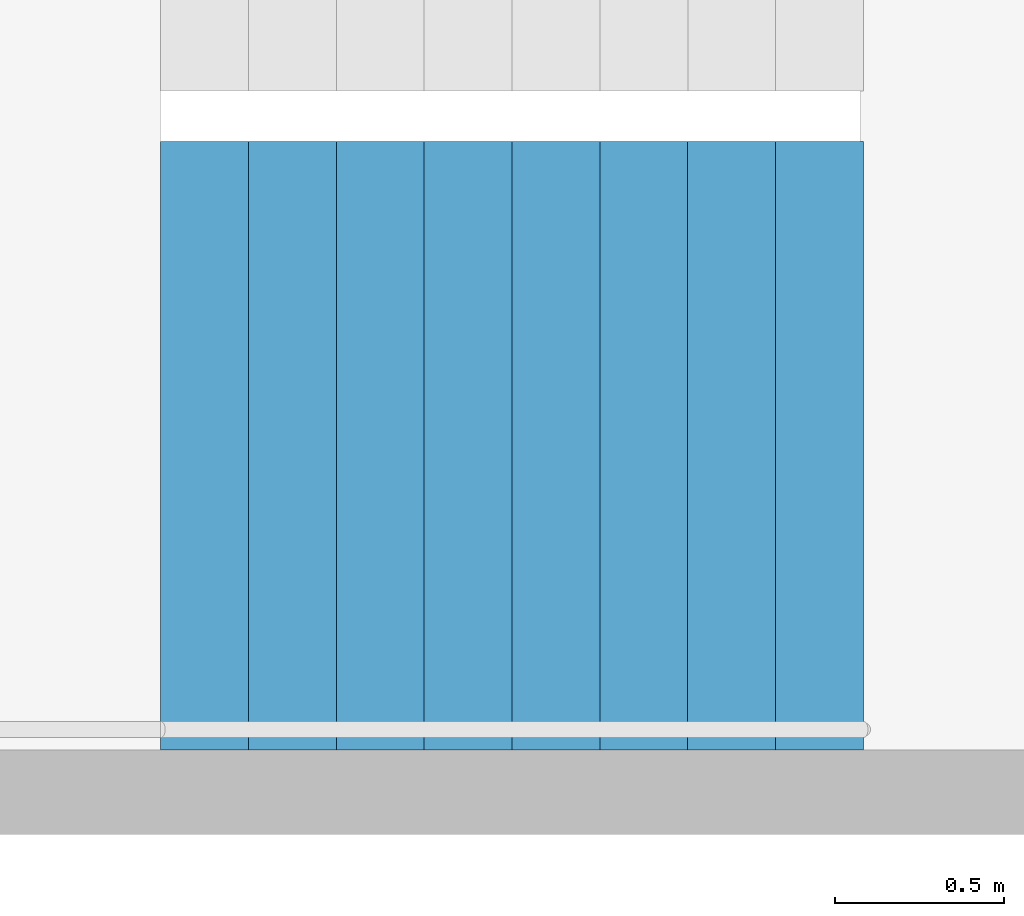
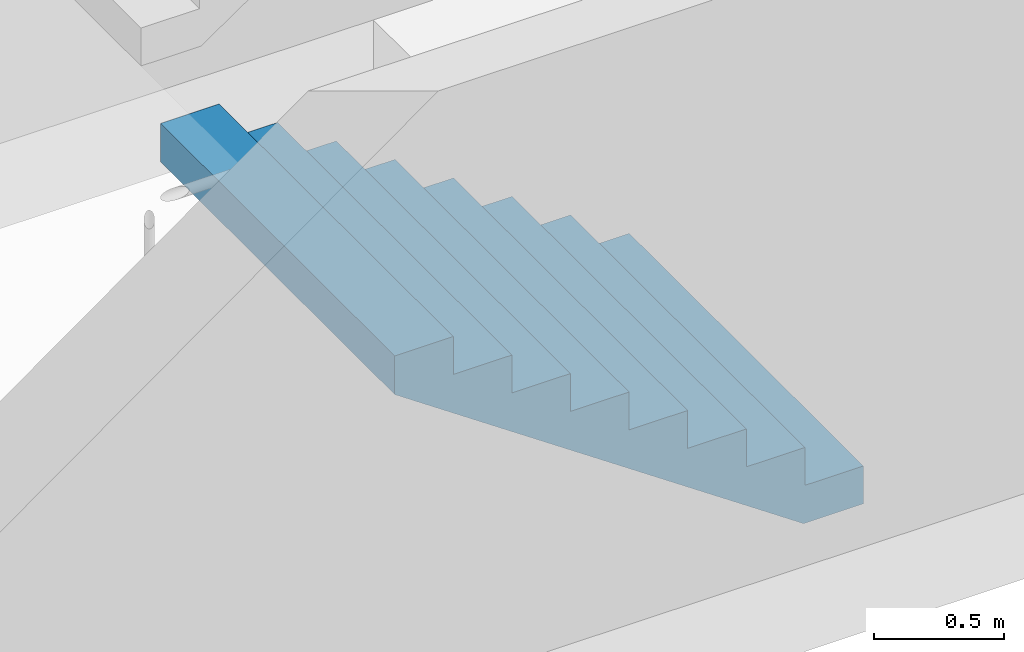
# One storey, part 26 of 34: 1 stair flight, 1 element without a shape of its own.
"""IFC4 building model written with IfcOpenShell, lengths in metres."""

from ifc_helpers import new_model, si_unit, direction, frame, origin, place, context, subcontext, project, spatial, triangles, material, type_object, element, aggregate, save


model = new_model("IFC4")

# Units and contexts
model_context = context("Model", 3, precision=1e-05, world=origin(), true_north=direction((0.0, 1.0)))
body_context = subcontext(model_context, "Body", "Model", "MODEL_VIEW")
ifc_project = project(units=[si_unit("LENGTHUNIT", "METRE"), si_unit("AREAUNIT", "SQUARE_METRE"), si_unit("VOLUMEUNIT", "CUBIC_METRE"), si_unit("PLANEANGLEUNIT", "RADIAN"), si_unit("MASSUNIT", "GRAM", prefix="KILO")], contexts=[model_context])

# Site, building, storey
site_placement = place(None, origin())
site = spatial("IfcSite", under=ifc_project, at=site_placement, CompositionType="ELEMENT")
building_placement = place(site_placement, origin())
building = spatial("IfcBuilding", under=site, at=building_placement, Name="Hakoniwa Tower and Hamabe Station Hall", CompositionType="ELEMENT")
storey_placement = place(building_placement, frame((0.0, 0.0, 107.39990234375)))
storey = spatial("IfcBuildingStorey", under=building, at=storey_placement, Name="L30", CompositionType="ELEMENT", Elevation=107.39990234375)

# Stair, stair flight
ifc_material_1 = material(Name="Concrete C40", Category="concrete")
stair_type = type_object("IfcStairType", Name="ESCAPE STAIR 1800", PredefinedType="HALF_TURN_STAIR", material=ifc_material_1)
stair_placement = place(storey_placement, origin())
stair = element("IfcStair", 1, at=stair_placement, inside=storey, type_object=stair_type, Name="Escape stair ST-3 L30", PredefinedType="HALF_TURN_STAIR")
ifc_material_2 = material(Name="Concrete C40", Category="concrete")
stair_flight_type = type_object("IfcStairFlightType", Name="STAIR FLIGHT 1800", PredefinedType="STRAIGHT", material=ifc_material_2)
stair_flight_placement = place(storey_placement, frame((24.39990234375, 4.64990234375, 0.0), z_axis=(0.0, 0.0, 1.0), x_axis=(-1.0, 0.0, 0.0)))
stair_flight = element("IfcStairFlight", 2, at=stair_flight_placement, type_object=stair_flight_type, Name="ST-3 flight 1", NumberOfRisers=9, NumberOfTreads=8, PredefinedType="STRAIGHT", RiserHeight=0.177777778, TreadLength=0.26, context=body_context, shape_type="Tessellation", body=[
    triangles([(0.0, 0.89990234375, 0.0), (0.260009765625, 0.89990234375, 0.0), (0.265625, 0.89990234375, 0.0), (0.52001953125, 0.89990234375, 0.174072265625), (0.780029296875, 0.89990234375, 0.351806640625), (1.0400390625, 0.89990234375, 0.529541015625), (1.300048828125, 0.89990234375, 0.707275390625), (1.56005859375, 0.89990234375, 0.885009765625), (1.820068359375, 0.89990234375, 1.062744140625), (2.080078125, 0.89990234375, 1.24072265625), (2.080078125, 0.89990234375, 1.422119140625), (1.820068359375, 0.89990234375, 1.422119140625), (1.820068359375, 0.89990234375, 1.244384765625), (1.56005859375, 0.89990234375, 1.244384765625), (1.56005859375, 0.89990234375, 1.066650390625), (1.300048828125, 0.89990234375, 1.066650390625), (1.300048828125, 0.89990234375, 0.888916015625), (1.0400390625, 0.89990234375, 0.888916015625), (1.0400390625, 0.89990234375, 0.711181640625), (0.780029296875, 0.89990234375, 0.711181640625), (0.780029296875, 0.89990234375, 0.533447265625), (0.52001953125, 0.89990234375, 0.533447265625), (0.52001953125, 0.89990234375, 0.35546875), (0.265625, 0.89990234375, 0.35546875), (0.260009765625, 0.89990234375, 0.35546875), (0.260009765625, 0.89990234375, 0.177734375), (0.0, 0.89990234375, 0.177734375), (0.0, 0.06005859375, 0.0), (0.260009765625, 0.06005859375, 0.0), (0.265625, 0.06005859375, 0.0), (0.52001953125, 0.06005859375, 0.174072265625), (0.780029296875, 0.06005859375, 0.351806640625), (1.0400390625, 0.06005859375, 0.529541015625), (1.300048828125, 0.06005859375, 0.707275390625), (1.56005859375, 0.06005859375, 0.885009765625), (1.820068359375, 0.06005859375, 1.062744140625), (2.080078125, 0.06005859375, 1.24072265625), (2.080078125, 0.06005859375, 1.422119140625), (1.820068359375, 0.06005859375, 1.422119140625), (1.820068359375, 0.06005859375, 1.244384765625), (1.56005859375, 0.06005859375, 1.244384765625), (1.56005859375, 0.06005859375, 1.066650390625), (1.300048828125, 0.06005859375, 1.066650390625), (1.300048828125, 0.06005859375, 0.888916015625), (1.0400390625, 0.06005859375, 0.888916015625), (1.0400390625, 0.06005859375, 0.711181640625), (0.780029296875, 0.06005859375, 0.711181640625), (0.780029296875, 0.06005859375, 0.533447265625), (0.52001953125, 0.06005859375, 0.533447265625), (0.52001953125, 0.06005859375, 0.35546875), (0.265625, 0.06005859375, 0.35546875), (0.260009765625, 0.06005859375, 0.35546875), (0.260009765625, 0.06005859375, 0.177734375), (0.0, 0.06005859375, 0.177734375), (0.0, 0.04296875, 0.0), (0.260009765625, 0.04296875, 0.0), (0.265625, 0.04296875, 0.0), (0.52001953125, 0.04296875, 0.174072265625), (0.780029296875, 0.04296875, 0.351806640625), (1.0400390625, 0.04296875, 0.529541015625), (1.300048828125, 0.04296875, 0.707275390625), (1.56005859375, 0.04296875, 0.885009765625), (1.820068359375, 0.04296875, 1.062744140625), (2.080078125, 0.04296875, 1.24072265625), (2.080078125, 0.04296875, 1.422119140625), (1.820068359375, 0.04296875, 1.422119140625), (1.820068359375, 0.04296875, 1.244384765625), (1.56005859375, 0.04296875, 1.244384765625), (1.56005859375, 0.04296875, 1.066650390625), (1.300048828125, 0.04296875, 1.066650390625), (1.300048828125, 0.04296875, 0.888916015625), (1.0400390625, 0.04296875, 0.888916015625), (1.0400390625, 0.04296875, 0.711181640625), (0.780029296875, 0.04296875, 0.711181640625), (0.780029296875, 0.04296875, 0.533447265625), (0.52001953125, 0.04296875, 0.533447265625), (0.52001953125, 0.04296875, 0.35546875), (0.265625, 0.04296875, 0.35546875), (0.260009765625, 0.04296875, 0.35546875), (0.260009765625, 0.04296875, 0.177734375), (0.0, 0.04296875, 0.177734375), (0.0, 0.025634765625, 0.0), (0.260009765625, 0.025634765625, 0.0), (0.265625, 0.025634765625, 0.0), (0.52001953125, 0.025634765625, 0.174072265625), (0.780029296875, 0.025634765625, 0.351806640625), (1.0400390625, 0.025634765625, 0.529541015625), (1.300048828125, 0.025634765625, 0.707275390625), (1.56005859375, 0.025634765625, 0.885009765625), (1.820068359375, 0.025634765625, 1.062744140625), (2.080078125, 0.025634765625, 1.24072265625), (2.080078125, 0.025634765625, 1.422119140625), (1.820068359375, 0.025634765625, 1.422119140625), (1.820068359375, 0.025634765625, 1.244384765625), (1.56005859375, 0.025634765625, 1.244384765625), (1.56005859375, 0.025634765625, 1.066650390625), (1.300048828125, 0.025634765625, 1.066650390625), (1.300048828125, 0.025634765625, 0.888916015625), (1.0400390625, 0.025634765625, 0.888916015625), (1.0400390625, 0.025634765625, 0.711181640625), (0.780029296875, 0.025634765625, 0.711181640625), (0.780029296875, 0.025634765625, 0.533447265625), (0.52001953125, 0.025634765625, 0.533447265625), (0.52001953125, 0.025634765625, 0.35546875), (0.265625, 0.025634765625, 0.35546875), (0.260009765625, 0.025634765625, 0.35546875), (0.260009765625, 0.025634765625, 0.177734375), (0.0, 0.025634765625, 0.177734375), (0.0, 0.008544921875, 0.0), (0.260009765625, 0.008544921875, 0.0), (0.265625, 0.008544921875, 0.0), (0.52001953125, 0.008544921875, 0.174072265625), (0.780029296875, 0.008544921875, 0.351806640625), (1.0400390625, 0.008544921875, 0.529541015625), (1.300048828125, 0.008544921875, 0.707275390625), (1.56005859375, 0.008544921875, 0.885009765625), (1.820068359375, 0.008544921875, 1.062744140625), (2.080078125, 0.008544921875, 1.24072265625), (2.080078125, 0.008544921875, 1.422119140625), (1.820068359375, 0.008544921875, 1.422119140625), (1.820068359375, 0.008544921875, 1.244384765625), (1.56005859375, 0.008544921875, 1.244384765625), (1.56005859375, 0.008544921875, 1.066650390625), (1.300048828125, 0.008544921875, 1.066650390625), (1.300048828125, 0.008544921875, 0.888916015625), (1.0400390625, 0.008544921875, 0.888916015625), (1.0400390625, 0.008544921875, 0.711181640625), (0.780029296875, 0.008544921875, 0.711181640625), (0.780029296875, 0.008544921875, 0.533447265625), (0.52001953125, 0.008544921875, 0.533447265625), (0.52001953125, 0.008544921875, 0.35546875), (0.265625, 0.008544921875, 0.35546875), (0.260009765625, 0.008544921875, 0.35546875), (0.260009765625, 0.008544921875, 0.177734375), (0.0, 0.008544921875, 0.177734375), (0.0, -0.008544921875, 0.0), (0.260009765625, -0.008544921875, 0.0), (0.265625, -0.008544921875, 0.0), (0.52001953125, -0.008544921875, 0.174072265625), (0.780029296875, -0.008544921875, 0.351806640625), (1.0400390625, -0.008544921875, 0.529541015625), (1.300048828125, -0.008544921875, 0.707275390625), (1.56005859375, -0.008544921875, 0.885009765625), (1.820068359375, -0.008544921875, 1.062744140625), (2.080078125, -0.008544921875, 1.24072265625), (2.080078125, -0.008544921875, 1.422119140625), (1.820068359375, -0.008544921875, 1.422119140625), (1.820068359375, -0.008544921875, 1.244384765625), (1.56005859375, -0.008544921875, 1.244384765625), (1.56005859375, -0.008544921875, 1.066650390625), (1.300048828125, -0.008544921875, 1.066650390625), (1.300048828125, -0.008544921875, 0.888916015625), (1.0400390625, -0.008544921875, 0.888916015625), (1.0400390625, -0.008544921875, 0.711181640625), (0.780029296875, -0.008544921875, 0.711181640625), (0.780029296875, -0.008544921875, 0.533447265625), (0.52001953125, -0.008544921875, 0.533447265625), (0.52001953125, -0.008544921875, 0.35546875), (0.265625, -0.008544921875, 0.35546875), (0.260009765625, -0.008544921875, 0.35546875), (0.260009765625, -0.008544921875, 0.177734375), (0.0, -0.008544921875, 0.177734375), (0.0, -0.025634765625, 0.0), (0.260009765625, -0.025634765625, 0.0), (0.265625, -0.025634765625, 0.0), (0.52001953125, -0.025634765625, 0.174072265625), (0.780029296875, -0.025634765625, 0.351806640625), (1.0400390625, -0.025634765625, 0.529541015625), (1.300048828125, -0.025634765625, 0.707275390625), (1.56005859375, -0.025634765625, 0.885009765625), (1.820068359375, -0.025634765625, 1.062744140625), (2.080078125, -0.025634765625, 1.24072265625), (2.080078125, -0.025634765625, 1.422119140625), (1.820068359375, -0.025634765625, 1.422119140625), (1.820068359375, -0.025634765625, 1.244384765625), (1.56005859375, -0.025634765625, 1.244384765625), (1.56005859375, -0.025634765625, 1.066650390625), (1.300048828125, -0.025634765625, 1.066650390625), (1.300048828125, -0.025634765625, 0.888916015625), (1.0400390625, -0.025634765625, 0.888916015625), (1.0400390625, -0.025634765625, 0.711181640625), (0.780029296875, -0.025634765625, 0.711181640625), (0.780029296875, -0.025634765625, 0.533447265625), (0.52001953125, -0.025634765625, 0.533447265625), (0.52001953125, -0.025634765625, 0.35546875), (0.265625, -0.025634765625, 0.35546875), (0.260009765625, -0.025634765625, 0.35546875), (0.260009765625, -0.025634765625, 0.177734375), (0.0, -0.025634765625, 0.177734375), (0.0, -0.04296875, 0.0), (0.260009765625, -0.04296875, 0.0), (0.265625, -0.04296875, 0.0), (0.52001953125, -0.04296875, 0.174072265625), (0.780029296875, -0.04296875, 0.351806640625), (1.0400390625, -0.04296875, 0.529541015625), (1.300048828125, -0.04296875, 0.707275390625), (1.56005859375, -0.04296875, 0.885009765625), (1.820068359375, -0.04296875, 1.062744140625), (2.080078125, -0.04296875, 1.24072265625), (2.080078125, -0.04296875, 1.422119140625), (1.820068359375, -0.04296875, 1.422119140625), (1.820068359375, -0.04296875, 1.244384765625), (1.56005859375, -0.04296875, 1.244384765625), (1.56005859375, -0.04296875, 1.066650390625), (1.300048828125, -0.04296875, 1.066650390625), (1.300048828125, -0.04296875, 0.888916015625), (1.0400390625, -0.04296875, 0.888916015625), (1.0400390625, -0.04296875, 0.711181640625), (0.780029296875, -0.04296875, 0.711181640625), (0.780029296875, -0.04296875, 0.533447265625), (0.52001953125, -0.04296875, 0.533447265625), (0.52001953125, -0.04296875, 0.35546875), (0.265625, -0.04296875, 0.35546875), (0.260009765625, -0.04296875, 0.35546875), (0.260009765625, -0.04296875, 0.177734375), (0.0, -0.04296875, 0.177734375), (0.0, -0.06005859375, 0.0), (0.260009765625, -0.06005859375, 0.0), (0.265625, -0.06005859375, 0.0), (0.52001953125, -0.06005859375, 0.174072265625), (0.780029296875, -0.06005859375, 0.351806640625), (1.0400390625, -0.06005859375, 0.529541015625), (1.300048828125, -0.06005859375, 0.707275390625), (1.56005859375, -0.06005859375, 0.885009765625), (1.820068359375, -0.06005859375, 1.062744140625), (2.080078125, -0.06005859375, 1.24072265625), (2.080078125, -0.06005859375, 1.422119140625), (1.820068359375, -0.06005859375, 1.422119140625), (1.820068359375, -0.06005859375, 1.244384765625), (1.56005859375, -0.06005859375, 1.244384765625), (1.56005859375, -0.06005859375, 1.066650390625), (1.300048828125, -0.06005859375, 1.066650390625), (1.300048828125, -0.06005859375, 0.888916015625), (1.0400390625, -0.06005859375, 0.888916015625), (1.0400390625, -0.06005859375, 0.711181640625), (0.780029296875, -0.06005859375, 0.711181640625), (0.780029296875, -0.06005859375, 0.533447265625), (0.52001953125, -0.06005859375, 0.533447265625), (0.52001953125, -0.06005859375, 0.35546875), (0.265625, -0.06005859375, 0.35546875), (0.260009765625, -0.06005859375, 0.35546875), (0.260009765625, -0.06005859375, 0.177734375), (0.0, -0.06005859375, 0.177734375), (0.0, -0.89990234375, 0.0), (0.260009765625, -0.89990234375, 0.0), (0.265625, -0.89990234375, 0.0), (0.52001953125, -0.89990234375, 0.174072265625), (0.780029296875, -0.89990234375, 0.351806640625), (1.0400390625, -0.89990234375, 0.529541015625), (1.300048828125, -0.89990234375, 0.707275390625), (1.56005859375, -0.89990234375, 0.885009765625), (1.820068359375, -0.89990234375, 1.062744140625), (2.080078125, -0.89990234375, 1.24072265625), (2.080078125, -0.89990234375, 1.422119140625), (1.820068359375, -0.89990234375, 1.422119140625), (1.820068359375, -0.89990234375, 1.244384765625), (1.56005859375, -0.89990234375, 1.244384765625), (1.56005859375, -0.89990234375, 1.066650390625), (1.300048828125, -0.89990234375, 1.066650390625), (1.300048828125, -0.89990234375, 0.888916015625), (1.0400390625, -0.89990234375, 0.888916015625), (1.0400390625, -0.89990234375, 0.711181640625), (0.780029296875, -0.89990234375, 0.711181640625), (0.780029296875, -0.89990234375, 0.533447265625), (0.52001953125, -0.89990234375, 0.533447265625), (0.52001953125, -0.89990234375, 0.35546875), (0.265625, -0.89990234375, 0.35546875), (0.260009765625, -0.89990234375, 0.35546875), (0.260009765625, -0.89990234375, 0.177734375), (0.0, -0.89990234375, 0.177734375)], [[2, 27, 26], [245, 269, 270], [2, 1, 27], [245, 270, 244], [3, 25, 24], [246, 267, 268], [3, 26, 25], [246, 268, 269], [3, 2, 26], [246, 269, 245], [4, 24, 23], [247, 266, 267], [4, 3, 24], [247, 267, 246], [5, 22, 21], [248, 264, 265], [5, 23, 22], [248, 265, 266], [5, 4, 23], [248, 266, 247], [6, 20, 19], [249, 262, 263], [6, 21, 20], [249, 263, 264], [6, 5, 21], [249, 264, 248], [7, 18, 17], [250, 260, 261], [7, 19, 18], [250, 261, 262], [7, 6, 19], [250, 262, 249], [8, 16, 15], [251, 258, 259], [8, 17, 16], [251, 259, 260], [8, 7, 17], [251, 260, 250], [9, 14, 13], [252, 256, 257], [9, 15, 14], [252, 257, 258], [9, 8, 15], [252, 258, 251], [10, 12, 11], [253, 254, 255], [10, 13, 12], [253, 255, 256], [10, 9, 13], [253, 256, 252], [1, 2, 29], [1, 29, 28], [28, 29, 56], [28, 56, 55], [55, 56, 83], [55, 83, 82], [82, 83, 110], [82, 110, 109], [109, 110, 137], [109, 137, 136], [136, 137, 164], [136, 164, 163], [163, 164, 191], [163, 191, 190], [190, 191, 218], [190, 218, 217], [217, 218, 245], [217, 245, 244], [2, 3, 30], [2, 30, 29], [29, 30, 57], [29, 57, 56], [56, 57, 84], [56, 84, 83], [83, 84, 111], [83, 111, 110], [110, 111, 138], [110, 138, 137], [137, 138, 165], [137, 165, 164], [164, 165, 192], [164, 192, 191], [191, 192, 219], [191, 219, 218], [218, 219, 246], [218, 246, 245], [3, 4, 31], [3, 31, 30], [30, 31, 58], [30, 58, 57], [57, 58, 85], [57, 85, 84], [84, 85, 112], [84, 112, 111], [111, 112, 139], [111, 139, 138], [138, 139, 166], [138, 166, 165], [165, 166, 193], [165, 193, 192], [192, 193, 220], [192, 220, 219], [219, 220, 247], [219, 247, 246], [4, 5, 32], [4, 32, 31], [31, 32, 59], [31, 59, 58], [58, 59, 86], [58, 86, 85], [85, 86, 113], [85, 113, 112], [112, 113, 140], [112, 140, 139], [139, 140, 167], [139, 167, 166], [166, 167, 194], [166, 194, 193], [193, 194, 221], [193, 221, 220], [220, 221, 248], [220, 248, 247], [5, 6, 33], [5, 33, 32], [32, 33, 60], [32, 60, 59], [59, 60, 87], [59, 87, 86], [86, 87, 114], [86, 114, 113], [113, 114, 141], [113, 141, 140], [140, 141, 168], [140, 168, 167], [167, 168, 195], [167, 195, 194], [194, 195, 222], [194, 222, 221], [221, 222, 249], [221, 249, 248], [6, 7, 34], [6, 34, 33], [33, 34, 61], [33, 61, 60], [60, 61, 88], [60, 88, 87], [87, 88, 115], [87, 115, 114], [114, 115, 142], [114, 142, 141], [141, 142, 169], [141, 169, 168], [168, 169, 196], [168, 196, 195], [195, 196, 223], [195, 223, 222], [222, 223, 250], [222, 250, 249], [7, 8, 35], [7, 35, 34], [34, 35, 62], [34, 62, 61], [61, 62, 89], [61, 89, 88], [88, 89, 116], [88, 116, 115], [115, 116, 143], [115, 143, 142], [142, 143, 170], [142, 170, 169], [169, 170, 197], [169, 197, 196], [196, 197, 224], [196, 224, 223], [223, 224, 251], [223, 251, 250], [8, 9, 36], [8, 36, 35], [35, 36, 63], [35, 63, 62], [62, 63, 90], [62, 90, 89], [89, 90, 117], [89, 117, 116], [116, 117, 144], [116, 144, 143], [143, 144, 171], [143, 171, 170], [170, 171, 198], [170, 198, 197], [197, 198, 225], [197, 225, 224], [224, 225, 252], [224, 252, 251], [9, 10, 37], [9, 37, 36], [36, 37, 64], [36, 64, 63], [63, 64, 91], [63, 91, 90], [90, 91, 118], [90, 118, 117], [117, 118, 145], [117, 145, 144], [144, 145, 172], [144, 172, 171], [171, 172, 199], [171, 199, 198], [198, 199, 226], [198, 226, 225], [225, 226, 253], [225, 253, 252], [10, 11, 38], [10, 38, 37], [37, 38, 65], [37, 65, 64], [64, 65, 92], [64, 92, 91], [91, 92, 119], [91, 119, 118], [118, 119, 146], [118, 146, 145], [145, 146, 173], [145, 173, 172], [172, 173, 200], [172, 200, 199], [199, 200, 227], [199, 227, 226], [226, 227, 254], [226, 254, 253], [11, 12, 39], [11, 39, 38], [38, 39, 66], [38, 66, 65], [65, 66, 93], [65, 93, 92], [92, 93, 120], [92, 120, 119], [119, 120, 147], [119, 147, 146], [146, 147, 174], [146, 174, 173], [173, 174, 201], [173, 201, 200], [200, 201, 228], [200, 228, 227], [227, 228, 255], [227, 255, 254], [12, 13, 40], [12, 40, 39], [39, 40, 67], [39, 67, 66], [66, 67, 94], [66, 94, 93], [93, 94, 121], [93, 121, 120], [120, 121, 148], [120, 148, 147], [147, 148, 175], [147, 175, 174], [174, 175, 202], [174, 202, 201], [201, 202, 229], [201, 229, 228], [228, 229, 256], [228, 256, 255], [13, 14, 41], [13, 41, 40], [40, 41, 68], [40, 68, 67], [67, 68, 95], [67, 95, 94], [94, 95, 122], [94, 122, 121], [121, 122, 149], [121, 149, 148], [148, 149, 176], [148, 176, 175], [175, 176, 203], [175, 203, 202], [202, 203, 230], [202, 230, 229], [229, 230, 257], [229, 257, 256], [14, 15, 42], [14, 42, 41], [41, 42, 69], [41, 69, 68], [68, 69, 96], [68, 96, 95], [95, 96, 123], [95, 123, 122], [122, 123, 150], [122, 150, 149], [149, 150, 177], [149, 177, 176], [176, 177, 204], [176, 204, 203], [203, 204, 231], [203, 231, 230], [230, 231, 258], [230, 258, 257], [15, 16, 43], [15, 43, 42], [42, 43, 70], [42, 70, 69], [69, 70, 97], [69, 97, 96], [96, 97, 124], [96, 124, 123], [123, 124, 151], [123, 151, 150], [150, 151, 178], [150, 178, 177], [177, 178, 205], [177, 205, 204], [204, 205, 232], [204, 232, 231], [231, 232, 259], [231, 259, 258], [16, 17, 44], [16, 44, 43], [43, 44, 71], [43, 71, 70], [70, 71, 98], [70, 98, 97], [97, 98, 125], [97, 125, 124], [124, 125, 152], [124, 152, 151], [151, 152, 179], [151, 179, 178], [178, 179, 206], [178, 206, 205], [205, 206, 233], [205, 233, 232], [232, 233, 260], [232, 260, 259], [17, 18, 45], [17, 45, 44], [44, 45, 72], [44, 72, 71], [71, 72, 99], [71, 99, 98], [98, 99, 126], [98, 126, 125], [125, 126, 153], [125, 153, 152], [152, 153, 180], [152, 180, 179], [179, 180, 207], [179, 207, 206], [206, 207, 234], [206, 234, 233], [233, 234, 261], [233, 261, 260], [18, 19, 46], [18, 46, 45], [45, 46, 73], [45, 73, 72], [72, 73, 100], [72, 100, 99], [99, 100, 127], [99, 127, 126], [126, 127, 154], [126, 154, 153], [153, 154, 181], [153, 181, 180], [180, 181, 208], [180, 208, 207], [207, 208, 235], [207, 235, 234], [234, 235, 262], [234, 262, 261], [19, 20, 47], [19, 47, 46], [46, 47, 74], [46, 74, 73], [73, 74, 101], [73, 101, 100], [100, 101, 128], [100, 128, 127], [127, 128, 155], [127, 155, 154], [154, 155, 182], [154, 182, 181], [181, 182, 209], [181, 209, 208], [208, 209, 236], [208, 236, 235], [235, 236, 263], [235, 263, 262], [20, 21, 48], [20, 48, 47], [47, 48, 75], [47, 75, 74], [74, 75, 102], [74, 102, 101], [101, 102, 129], [101, 129, 128], [128, 129, 156], [128, 156, 155], [155, 156, 183], [155, 183, 182], [182, 183, 210], [182, 210, 209], [209, 210, 237], [209, 237, 236], [236, 237, 264], [236, 264, 263], [21, 22, 49], [21, 49, 48], [48, 49, 76], [48, 76, 75], [75, 76, 103], [75, 103, 102], [102, 103, 130], [102, 130, 129], [129, 130, 157], [129, 157, 156], [156, 157, 184], [156, 184, 183], [183, 184, 211], [183, 211, 210], [210, 211, 238], [210, 238, 237], [237, 238, 265], [237, 265, 264], [22, 23, 50], [22, 50, 49], [49, 50, 77], [49, 77, 76], [76, 77, 104], [76, 104, 103], [103, 104, 131], [103, 131, 130], [130, 131, 158], [130, 158, 157], [157, 158, 185], [157, 185, 184], [184, 185, 212], [184, 212, 211], [211, 212, 239], [211, 239, 238], [238, 239, 266], [238, 266, 265], [23, 24, 51], [23, 51, 50], [50, 51, 78], [50, 78, 77], [77, 78, 105], [77, 105, 104], [104, 105, 132], [104, 132, 131], [131, 132, 159], [131, 159, 158], [158, 159, 186], [158, 186, 185], [185, 186, 213], [185, 213, 212], [212, 213, 240], [212, 240, 239], [239, 240, 267], [239, 267, 266], [24, 25, 52], [24, 52, 51], [51, 52, 79], [51, 79, 78], [78, 79, 106], [78, 106, 105], [105, 106, 133], [105, 133, 132], [132, 133, 160], [132, 160, 159], [159, 160, 187], [159, 187, 186], [186, 187, 214], [186, 214, 213], [213, 214, 241], [213, 241, 240], [240, 241, 268], [240, 268, 267], [25, 26, 53], [25, 53, 52], [52, 53, 80], [52, 80, 79], [79, 80, 107], [79, 107, 106], [106, 107, 134], [106, 134, 133], [133, 134, 161], [133, 161, 160], [160, 161, 188], [160, 188, 187], [187, 188, 215], [187, 215, 214], [214, 215, 242], [214, 242, 241], [241, 242, 269], [241, 269, 268], [26, 27, 54], [26, 54, 53], [53, 54, 81], [53, 81, 80], [80, 81, 108], [80, 108, 107], [107, 108, 135], [107, 135, 134], [134, 135, 162], [134, 162, 161], [161, 162, 189], [161, 189, 188], [188, 189, 216], [188, 216, 215], [215, 216, 243], [215, 243, 242], [242, 243, 270], [242, 270, 269], [27, 1, 28], [27, 28, 54], [54, 28, 55], [54, 55, 81], [81, 55, 82], [81, 82, 108], [108, 82, 109], [108, 109, 135], [135, 109, 136], [135, 136, 162], [162, 136, 163], [162, 163, 189], [189, 163, 190], [189, 190, 216], [216, 190, 217], [216, 217, 243], [243, 217, 244], [243, 244, 270]], closed=True),
])
aggregate(stair, [stair_flight])

save(model, "model.ifc")
